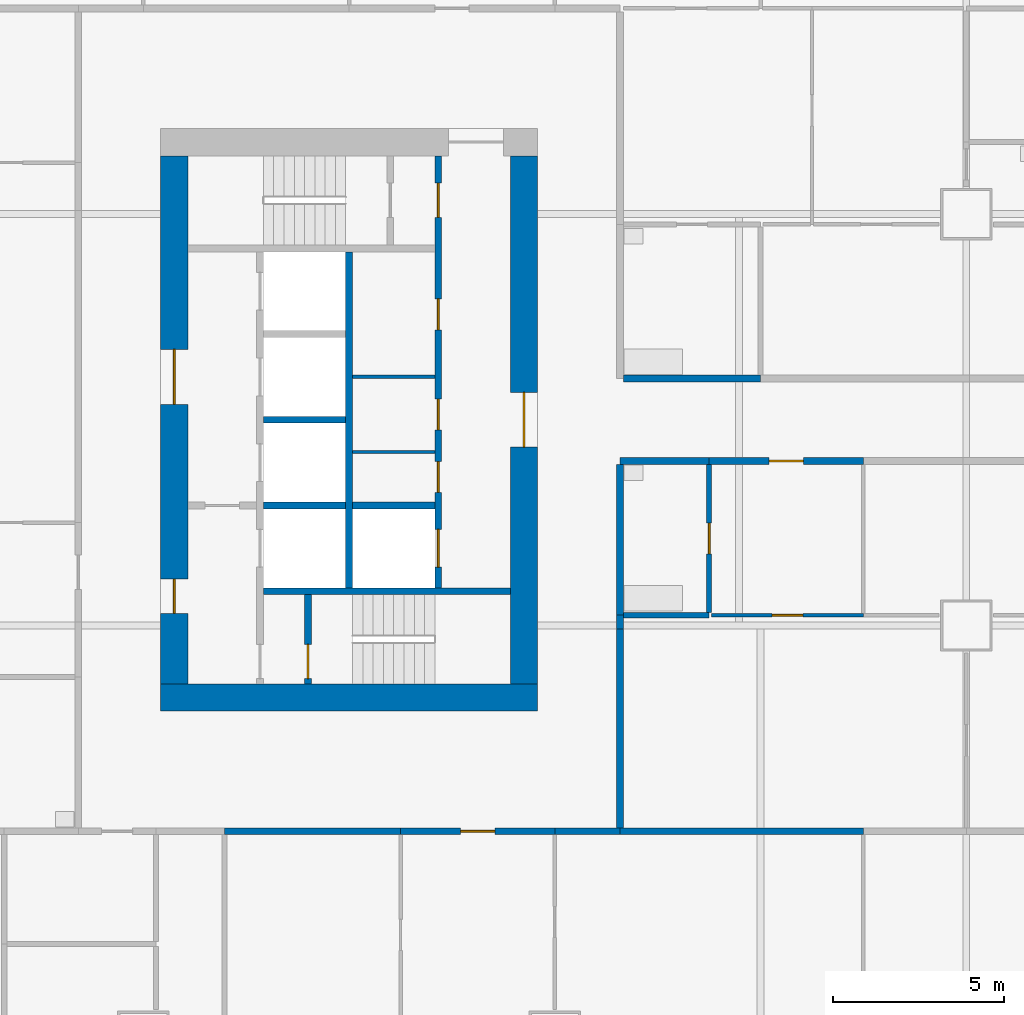
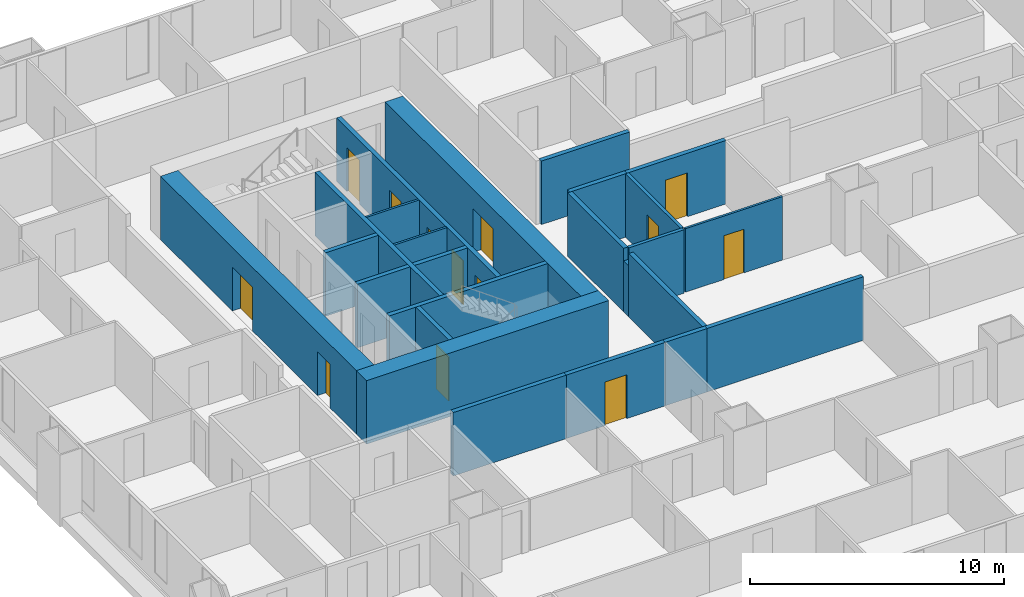
# One storey, part 4 of 14: 25 walls, 13 doors, 13 openings.
"""IFC4 building model written with IfcOpenShell, lengths in metres."""

from ifc_helpers import new_model, si_unit, direction, frame, frame_2d, origin, place, context, subcontext, project, spatial, rectangle, extrude, material, layer, layer_set, type_object, element, fill, save


model = new_model("IFC4")

# Units and contexts
model_context = context("Model", 3, precision=1e-05, world=origin(), true_north=direction((0.0, 1.0)))
body_context = subcontext(model_context, "Body", "Model", "MODEL_VIEW")
ifc_project = project(units=[si_unit("LENGTHUNIT", "METRE"), si_unit("AREAUNIT", "SQUARE_METRE"), si_unit("VOLUMEUNIT", "CUBIC_METRE"), si_unit("PLANEANGLEUNIT", "RADIAN"), si_unit("MASSUNIT", "GRAM", prefix="KILO")], contexts=[model_context])

# Site, building, storey
site_placement = place(None, origin())
site = spatial("IfcSite", under=ifc_project, at=site_placement, CompositionType="ELEMENT")
building_placement = place(site_placement, origin())
building = spatial("IfcBuilding", under=site, at=building_placement, Name="Kitamizu Gate Tower and Museum", CompositionType="ELEMENT")
storey_placement = place(building_placement, frame((0.0, 0.0, 54.14990234375)))
storey = spatial("IfcBuildingStorey", under=building, at=storey_placement, Name="L12", CompositionType="ELEMENT", Elevation=54.14990234375)

# Wall
ifc_material_1 = material(Name="Concrete Fc60", Category="concrete")
ifc_layer_1 = layer(ifc_material_1, 0.800048828125)
ifc_layer_set_1 = layer_set([ifc_layer_1], Name="Concrete Fc60")
wall_type_1 = type_object("IfcWallType", Name="Core wall 800", PredefinedType="SHEAR", material=ifc_layer_set_1)
wall_1_placement = place(storey_placement, frame((12.5, 21.89990234375, 0.0), z_axis=(0.0, 0.0, 1.0), x_axis=(1.0, 0.0, 0.0)))
element("IfcWall", 1, at=wall_1_placement, inside=storey, type_object=wall_type_1, Name="Core wall WS", PredefinedType="SHEAR", context=body_context, shape_type="SweptSolid", body=[
    extrude(rectangle(XDim=11.0, YDim=0.800048828125, at=frame_2d((5.5, 0.0))), origin(), (0.0, 0.0, 1.0), 3.050048828125),
])

# Wall, openings, doors
wall_2_placement = place(storey_placement, frame((12.89990234375, 22.300048828125, 0.0), z_axis=(0.0, 0.0, 1.0), x_axis=(0.0, 1.0, 0.0)))
wall_2 = element("IfcWall", 2, at=wall_2_placement, inside=storey, type_object=wall_type_1, Name="Core wall WOUT", PredefinedType="SHEAR", context=body_context, shape_type="SweptSolid", body=[
    extrude(rectangle(XDim=15.39990234375, YDim=0.800048828125, at=frame_2d((7.699951171875, 0.0))), origin(), (0.0, 0.0, 1.0), 3.050048828125),
])
opening_1_placement = place(wall_2_placement, frame((8.14990234375, 0.0, 0.0)))
opening_1 = element("IfcOpeningElement", 3, at=opening_1_placement, cuts=wall_2, Name="Opening L12-081", PredefinedType="OPENING", context=body_context, shape_type="SweptSolid", body=[
    extrude(rectangle(XDim=1.60009765625, YDim=2.10009765625, at=frame_2d((0.800048828125, 1.050048828125))), frame((0.0, 0.41015625, 0.0), z_axis=(0.0, -1.0, 0.0), x_axis=(1.0, 0.0, 0.0)), (0.0, 0.0, 1.0), 0.820068359375),
])
opening_2_placement = place(wall_2_placement, frame((2.050048828125, 0.0, 0.0)))
opening_2 = element("IfcOpeningElement", 4, at=opening_2_placement, cuts=wall_2, Name="Opening L12-082", PredefinedType="OPENING", context=body_context, shape_type="SweptSolid", body=[
    extrude(rectangle(XDim=1.0, YDim=2.10009765625, at=frame_2d((0.5, 1.050048828125))), frame((0.0, 0.41015625, 0.0), z_axis=(0.0, -1.0, 0.0), x_axis=(1.0, 0.0, 0.0)), (0.0, 0.0, 1.0), 0.820068359375),
])
ifc_material_2 = material(Name="Timber door set", Category="wood")
door_type_1 = type_object("IfcDoorType", Name="Entrance door 1600", OperationType="DOUBLE_DOOR_SINGLE_SWING", PredefinedType="DOOR", material=ifc_material_2)
door_1_placement = place(opening_1_placement, origin())
door_1 = element("IfcDoor", 5, at=door_1_placement, inside=storey, type_object=door_type_1, Name="Lobby door L12-081", OperationType="DOUBLE_DOOR_SINGLE_SWING", OverallHeight=2.10009765625, OverallWidth=1.60009765625, PredefinedType="DOOR", context=body_context, shape_type="SweptSolid", body=[
    extrude(rectangle(XDim=1.60009765625, YDim=2.10009765625, at=frame_2d((0.800048828125, 1.050048828125))), frame((0.0, 0.02490234375, 0.0), z_axis=(0.0, -1.0, 0.0), x_axis=(1.0, 0.0, 0.0)), (0.0, 0.0, 1.0), 0.050048828125),
])
fill(opening_1, door_1)
ifc_material_3 = material(Name="Hollow metal door set")
door_type_2 = type_object("IfcDoorType", Name="Fire door 1000", OperationType="NOTDEFINED", PredefinedType="DOOR", material=ifc_material_3)
door_2_placement = place(opening_2_placement, frame((1.0, 0.0, 0.0), x_axis=(-1.0, 0.0, 0.0)))
door_2 = element("IfcDoor", 6, at=door_2_placement, inside=storey, type_object=door_type_2, Name="Fire-fighting lobby door L12-082", OperationType="SINGLE_SWING_RIGHT", OverallHeight=2.10009765625, OverallWidth=1.0, PredefinedType="DOOR", context=body_context, shape_type="SweptSolid", body=[
    extrude(rectangle(XDim=1.0, YDim=2.10009765625, at=frame_2d((0.5, 1.050048828125))), frame((0.0, 0.02490234375, 0.0), z_axis=(0.0, -1.0, 0.0), x_axis=(1.0, 0.0, 0.0)), (0.0, 0.0, 1.0), 0.050048828125),
])
fill(opening_2, door_2)

# Wall, opening, door
wall_3_placement = place(storey_placement, frame((23.10009765625, 22.300048828125, 0.0), z_axis=(0.0, 0.0, 1.0), x_axis=(0.0, 1.0, 0.0)))
wall_3 = element("IfcWall", 7, at=wall_3_placement, inside=storey, type_object=wall_type_1, Name="Core wall WARC", PredefinedType="SHEAR", context=body_context, shape_type="SweptSolid", body=[
    extrude(rectangle(XDim=15.39990234375, YDim=0.800048828125, at=frame_2d((7.699951171875, 0.0))), origin(), (0.0, 0.0, 1.0), 3.050048828125),
])
opening_3_placement = place(wall_3_placement, frame((6.89990234375, 0.0, 0.0)))
opening_3 = element("IfcOpeningElement", 8, at=opening_3_placement, cuts=wall_3, Name="Opening L12-084", PredefinedType="OPENING", context=body_context, shape_type="SweptSolid", body=[
    extrude(rectangle(XDim=1.60009765625, YDim=2.10009765625, at=frame_2d((0.800048828125, 1.050048828125))), frame((0.0, 0.41015625, 0.0), z_axis=(0.0, -1.0, 0.0), x_axis=(1.0, 0.0, 0.0)), (0.0, 0.0, 1.0), 0.820068359375),
])
door_3_placement = place(opening_3_placement, origin())
door_3 = element("IfcDoor", 9, at=door_3_placement, inside=storey, type_object=door_type_1, Name="Lobby door L12-084", OperationType="DOUBLE_DOOR_SINGLE_SWING", OverallHeight=2.10009765625, OverallWidth=1.60009765625, PredefinedType="DOOR", context=body_context, shape_type="SweptSolid", body=[
    extrude(rectangle(XDim=1.60009765625, YDim=2.10009765625, at=frame_2d((0.800048828125, 1.050048828125))), frame((0.0, 0.02490234375, 0.0), z_axis=(0.0, -1.0, 0.0), x_axis=(1.0, 0.0, 0.0)), (0.0, 0.0, 1.0), 0.050048828125),
])
fill(opening_3, door_3)

# Walls
ifc_material_4 = material(Name="Gypsum board on galvanised stud")
ifc_layer_2 = layer(ifc_material_4, 0.10009765625)
ifc_layer_set_2 = layer_set([ifc_layer_2], Name="Gypsum board on galvanised stud")
wall_type_2 = type_object("IfcWallType", Name="Partition 100", PredefinedType="PARTITIONING", material=ifc_layer_set_2)
for number, where, z_axis, x_axis, name in (
    (10, (18.10009765625, 29.06005859375, 0.0), (0.0, 0.0, 1.0), (1.0, 0.0, 0.0), "Partition WPF1"),
    (11, (18.10009765625, 31.25, 0.0), (0.0, 0.0, 1.0), (1.0, 0.0, 0.0), "Partition WPF2"),
):
    element("IfcWall", number, at=place(storey_placement, frame(where, z_axis=z_axis, x_axis=x_axis)), inside=storey, type_object=wall_type_2, Name=name, PredefinedType="PARTITIONING", context=body_context, shape_type="SweptSolid", body=[
        extrude(rectangle(XDim=2.39990234375, YDim=0.10009765625, at=frame_2d((1.199951171875, 0.0))), origin(), (0.0, 0.0, 1.0), 3.050048828125),
    ])

# Wall, opening, door
ifc_material_5 = material(Name="Gypsum board on galvanised stud")
ifc_layer_3 = layer(ifc_material_5, 0.10009765625)
ifc_layer_set_3 = layer_set([ifc_layer_3], Name="Gypsum board on galvanised stud")
wall_type_3 = type_object("IfcWallType", Name="Partition 100 NOT RATED", PredefinedType="PARTITIONING", material=ifc_layer_set_3)
wall_4_placement = place(storey_placement, frame((33.0, 24.300048828125, 0.0), z_axis=(0.0, 0.0, 1.0), x_axis=(-1.0, 0.0, 0.0)))
wall_4 = element("IfcWall", 12, at=wall_4_placement, inside=storey, type_object=wall_type_3, Name="Partition L12-061", PredefinedType="PARTITIONING", context=body_context, shape_type="SweptSolid", body=[
    extrude(rectangle(XDim=4.425048828125, YDim=0.10009765625, at=frame_2d((2.21240234375, 0.0))), origin(), (0.0, 0.0, 1.0), 3.050048828125),
])
opening_4_placement = place(wall_4_placement, frame((1.762451171875, 0.0, 0.0)))
opening_4 = element("IfcOpeningElement", 13, at=opening_4_placement, cuts=wall_4, Name="Opening L12-022", PredefinedType="OPENING", context=body_context, shape_type="SweptSolid", body=[
    extrude(rectangle(XDim=0.89990234375, YDim=2.10009765625, at=frame_2d((0.449951171875, 1.050048828125))), frame((0.0, 0.06005859375, 0.0), z_axis=(0.0, -1.0, 0.0), x_axis=(1.0, 0.0, 0.0)), (0.0, 0.0, 1.0), 0.1201171875),
])
ifc_material_6 = material(Name="Timber door set", Category="wood")
door_type_3 = type_object("IfcDoorType", Name="Room door 900", OperationType="NOTDEFINED", PredefinedType="DOOR", material=ifc_material_6)
door_4_placement = place(opening_4_placement, origin())
door_4 = element("IfcDoor", 14, at=door_4_placement, inside=storey, type_object=door_type_3, Name="Door L12-022", OperationType="SINGLE_SWING_LEFT", OverallHeight=2.10009765625, OverallWidth=0.89990234375, PredefinedType="DOOR", context=body_context, shape_type="SweptSolid", body=[
    extrude(rectangle(XDim=0.89990234375, YDim=2.10009765625, at=frame_2d((0.449951171875, 1.050048828125))), frame((0.0, 0.02490234375, 0.0), z_axis=(0.0, -1.0, 0.0), x_axis=(1.0, 0.0, 0.0)), (0.0, 0.0, 1.0), 0.050048828125),
])
fill(opening_4, door_4)

# Wall
ifc_material_7 = material(Name="Gypsum board on galvanised stud")
ifc_layer_4 = layer(ifc_material_7, 0.14990234375)
ifc_layer_set_4 = layer_set([ifc_layer_4], Name="Gypsum board on galvanised stud")
wall_type_4 = type_object("IfcWallType", Name="Partition 150", PredefinedType="PARTITIONING", material=ifc_layer_set_4)
wall_5_placement = place(storey_placement, frame((28.5, 24.300048828125, 0.0), z_axis=(0.0, 0.0, 1.0), x_axis=(-1.0, 0.0, 0.0)))
element("IfcWall", 15, at=wall_5_placement, inside=storey, type_object=wall_type_4, Name="Partition L12-060", PredefinedType="PARTITIONING", context=body_context, shape_type="SweptSolid", body=[
    extrude(rectangle(XDim=2.5, YDim=0.14990234375, at=frame_2d((1.25, 0.0))), origin(), (0.0, 0.0, 1.0), 3.050048828125),
])

# Wall, opening, door
wall_6_placement = place(storey_placement, frame((28.5, 24.375, 0.0), z_axis=(0.0, 0.0, 1.0), x_axis=(0.0, 1.0, 0.0)))
wall_6 = element("IfcWall", 16, at=wall_6_placement, inside=storey, type_object=wall_type_4, Name="Partition L12-067", PredefinedType="PARTITIONING", context=body_context, shape_type="SweptSolid", body=[
    extrude(rectangle(XDim=4.324951171875, YDim=0.14990234375, at=frame_2d((2.16259765625, 0.0))), origin(), (0.0, 0.0, 1.0), 3.050048828125),
])
opening_5_placement = place(wall_6_placement, frame((1.71240234375, 0.0, 0.0)))
opening_5 = element("IfcOpeningElement", 17, at=opening_5_placement, cuts=wall_6, Name="Opening L12-024", PredefinedType="OPENING", context=body_context, shape_type="SweptSolid", body=[
    extrude(rectangle(XDim=0.89990234375, YDim=2.10009765625, at=frame_2d((0.449951171875, 1.050048828125))), frame((0.0, 0.0849609375, 0.0), z_axis=(0.0, -1.0, 0.0), x_axis=(1.0, 0.0, 0.0)), (0.0, 0.0, 1.0), 0.169921875),
])
ifc_material_8 = material(Name="Timber door set", Category="wood")
door_type_4 = type_object("IfcDoorType", Name="Bathroom door 900", OperationType="NOTDEFINED", PredefinedType="DOOR", material=ifc_material_8)
door_5_placement = place(opening_5_placement, origin())
door_5 = element("IfcDoor", 18, at=door_5_placement, inside=storey, type_object=door_type_4, Name="Bathroom door L12-024", OperationType="SINGLE_SWING_LEFT", OverallHeight=2.10009765625, OverallWidth=0.89990234375, PredefinedType="DOOR", context=body_context, shape_type="SweptSolid", body=[
    extrude(rectangle(XDim=0.89990234375, YDim=2.10009765625, at=frame_2d((0.449951171875, 1.050048828125))), frame((0.0, 0.02490234375, 0.0), z_axis=(0.0, -1.0, 0.0), x_axis=(1.0, 0.0, 0.0)), (0.0, 0.0, 1.0), 0.050048828125),
])
fill(opening_5, door_5)

# Wall
ifc_material_9 = material(Name="Gypsum board on galvanised stud")
ifc_layer_5 = layer(ifc_material_9, 0.199951171875)
ifc_layer_set_5 = layer_set([ifc_layer_5], Name="Gypsum board on galvanised stud")
wall_type_5 = type_object("IfcWallType", Name="Partition 200", PredefinedType="PARTITIONING", material=ifc_layer_set_5)
wall_7_placement = place(storey_placement, frame((19.5, 18.0, 0.0), z_axis=(0.0, 0.0, 1.0), x_axis=(-1.0, 0.0, 0.0)))
element("IfcWall", 19, at=wall_7_placement, inside=storey, type_object=wall_type_5, Name="Partition L12-050", PredefinedType="PARTITIONING", context=body_context, shape_type="SweptSolid", body=[
    extrude(rectangle(XDim=5.135986328125, YDim=0.199951171875, at=frame_2d((2.56787109375, 0.0))), origin(), (0.0, 0.0, 1.0), 3.050048828125),
])

# Wall, opening, door
wall_8_placement = place(storey_placement, frame((24.0, 18.0, 0.0), z_axis=(0.0, 0.0, 1.0), x_axis=(-1.0, 0.0, 0.0)))
wall_8 = element("IfcWall", 20, at=wall_8_placement, inside=storey, type_object=wall_type_5, Name="Partition L12-052", PredefinedType="PARTITIONING", context=body_context, shape_type="SweptSolid", body=[
    extrude(rectangle(XDim=4.5, YDim=0.199951171875, at=frame_2d((2.25, 0.0))), origin(), (0.0, 0.0, 1.0), 3.050048828125),
])
opening_6_placement = place(wall_8_placement, frame((1.75, 0.0, 0.0)))
opening_6 = element("IfcOpeningElement", 21, at=opening_6_placement, cuts=wall_8, Name="Opening L12-001", PredefinedType="OPENING", context=body_context, shape_type="SweptSolid", body=[
    extrude(rectangle(XDim=1.0, YDim=2.10009765625, at=frame_2d((0.5, 1.050048828125))), frame((0.0, 0.10986328125, 0.0), z_axis=(0.0, -1.0, 0.0), x_axis=(1.0, 0.0, 0.0)), (0.0, 0.0, 1.0), 0.219970703125),
])
ifc_material_10 = material(Name="Timber door set", Category="wood")
door_type_5 = type_object("IfcDoorType", Name="Flat entrance door 1000", OperationType="NOTDEFINED", PredefinedType="DOOR", material=ifc_material_10)
door_6_placement = place(opening_6_placement, origin())
door_6 = element("IfcDoor", 22, at=door_6_placement, inside=storey, type_object=door_type_5, Name="Flat entrance door L12-001", OperationType="SINGLE_SWING_RIGHT", OverallHeight=2.10009765625, OverallWidth=1.0, PredefinedType="DOOR", context=body_context, shape_type="SweptSolid", body=[
    extrude(rectangle(XDim=1.0, YDim=2.10009765625, at=frame_2d((0.5, 1.050048828125))), frame((0.0, 0.02490234375, 0.0), z_axis=(0.0, -1.0, 0.0), x_axis=(1.0, 0.0, 0.0)), (0.0, 0.0, 1.0), 0.050048828125),
])
fill(opening_6, door_6)

# Walls
wall_9_placement = place(storey_placement, frame((33.0, 18.0, 0.0), z_axis=(0.0, 0.0, 1.0), x_axis=(-1.0, 0.0, 0.0)))
element("IfcWall", 23, at=wall_9_placement, inside=storey, type_object=wall_type_5, Name="Partition L12-054", PredefinedType="PARTITIONING", context=body_context, shape_type="SweptSolid", body=[
    extrude(rectangle(XDim=7.10009765625, YDim=0.199951171875, at=frame_2d((3.550048828125, 0.0))), origin(), (0.0, 0.0, 1.0), 3.050048828125),
])
wall_10_placement = place(storey_placement, frame((25.89990234375, 18.0, 0.0), z_axis=(0.0, 0.0, 1.0), x_axis=(-1.0, 0.0, 0.0)))
element("IfcWall", 24, at=wall_10_placement, inside=storey, type_object=wall_type_5, Name="Partition L12-055", PredefinedType="PARTITIONING", context=body_context, shape_type="SweptSolid", body=[
    extrude(rectangle(XDim=1.89990234375, YDim=0.199951171875, at=frame_2d((0.949951171875, 0.0))), origin(), (0.0, 0.0, 1.0), 3.050048828125),
])
wall_11_placement = place(storey_placement, frame((25.89990234375, 24.300048828125, 0.0), z_axis=(0.0, 0.0, 1.0), x_axis=(0.0, -1.0, 0.0)))
element("IfcWall", 25, at=wall_11_placement, inside=storey, type_object=wall_type_5, Name="Partition L12-063", PredefinedType="PARTITIONING", context=body_context, shape_type="SweptSolid", body=[
    extrude(rectangle(XDim=0.400146484375, YDim=0.199951171875, at=frame_2d((0.2001953125, 0.0))), origin(), (0.0, 0.0, 1.0), 2.4501953125),
])
wall_12_placement = place(storey_placement, frame((25.89990234375, 23.89990234375, 0.0), z_axis=(0.0, 0.0, 1.0), x_axis=(0.0, -1.0, 0.0)))
element("IfcWall", 26, at=wall_12_placement, inside=storey, type_object=wall_type_5, Name="Partition L12-064", PredefinedType="PARTITIONING", context=body_context, shape_type="SweptSolid", body=[
    extrude(rectangle(XDim=5.7998046875, YDim=0.199951171875, at=frame_2d((2.89990234375, 0.0))), origin(), (0.0, 0.0, 1.0), 3.050048828125),
])
wall_13_placement = place(storey_placement, frame((28.5, 28.800048828125, 0.0), z_axis=(0.0, 0.0, 1.0), x_axis=(-1.0, 0.0, 0.0)))
element("IfcWall", 27, at=wall_13_placement, inside=storey, type_object=wall_type_5, Name="Partition L12-068", PredefinedType="PARTITIONING", context=body_context, shape_type="SweptSolid", body=[
    extrude(rectangle(XDim=2.60009765625, YDim=0.199951171875, at=frame_2d((1.300048828125, 0.0))), origin(), (0.0, 0.0, 1.0), 3.050048828125),
])
wall_14_placement = place(storey_placement, frame((25.89990234375, 28.699951171875, 0.0), z_axis=(0.0, 0.0, 1.0), x_axis=(0.0, -1.0, 0.0)))
element("IfcWall", 28, at=wall_14_placement, inside=storey, type_object=wall_type_5, Name="Partition L12-069", PredefinedType="PARTITIONING", context=body_context, shape_type="SweptSolid", body=[
    extrude(rectangle(XDim=4.39990234375, YDim=0.199951171875, at=frame_2d((2.199951171875, 0.0))), origin(), (0.0, 0.0, 1.0), 3.050048828125),
])

# Wall, opening, door
wall_15_placement = place(storey_placement, frame((33.0, 28.800048828125, 0.0), z_axis=(0.0, 0.0, 1.0), x_axis=(-1.0, 0.0, 0.0)))
wall_15 = element("IfcWall", 29, at=wall_15_placement, inside=storey, type_object=wall_type_5, Name="Partition L12-071", PredefinedType="PARTITIONING", context=body_context, shape_type="SweptSolid", body=[
    extrude(rectangle(XDim=4.5, YDim=0.199951171875, at=frame_2d((2.25, 0.0))), origin(), (0.0, 0.0, 1.0), 3.050048828125),
])
opening_7_placement = place(wall_15_placement, frame((1.75, 0.0, 0.0)))
opening_7 = element("IfcOpeningElement", 30, at=opening_7_placement, cuts=wall_15, Name="Opening L12-021", PredefinedType="OPENING", context=body_context, shape_type="SweptSolid", body=[
    extrude(rectangle(XDim=1.0, YDim=2.10009765625, at=frame_2d((0.5, 1.050048828125))), frame((0.0, 0.10986328125, 0.0), z_axis=(0.0, -1.0, 0.0), x_axis=(1.0, 0.0, 0.0)), (0.0, 0.0, 1.0), 0.219970703125),
])
door_7_placement = place(opening_7_placement, origin())
door_7 = element("IfcDoor", 31, at=door_7_placement, inside=storey, type_object=door_type_5, Name="Flat entrance door L12-021", OperationType="SINGLE_SWING_RIGHT", OverallHeight=2.10009765625, OverallWidth=1.0, PredefinedType="DOOR", context=body_context, shape_type="SweptSolid", body=[
    extrude(rectangle(XDim=1.0, YDim=2.10009765625, at=frame_2d((0.5, 1.050048828125))), frame((0.0, 0.02490234375, 0.0), z_axis=(0.0, -1.0, 0.0), x_axis=(1.0, 0.0, 0.0)), (0.0, 0.0, 1.0), 0.050048828125),
])
fill(opening_7, door_7)

# Wall
wall_16_placement = place(storey_placement, frame((26.0, 31.199951171875, 0.0), z_axis=(0.0, 0.0, 1.0), x_axis=(1.0, 0.0, 0.0)))
element("IfcWall", 32, at=wall_16_placement, inside=storey, type_object=wall_type_5, Name="Partition L12-152", PredefinedType="PARTITIONING", context=body_context, shape_type="SweptSolid", body=[
    extrude(rectangle(XDim=4.0, YDim=0.199951171875, at=frame_2d((2.0, 0.0))), origin(), (0.0, 0.0, 1.0), 3.050048828125),
])

# Wall, openings, doors
ifc_material_11 = material(Name="Concrete Fc42", Category="concrete")
ifc_layer_6 = layer(ifc_material_11, 0.199951171875)
ifc_layer_set_6 = layer_set([ifc_layer_6], Name="Concrete Fc42")
wall_type_6 = type_object("IfcWallType", Name="Shaft wall 200", PredefinedType="SOLIDWALL", material=ifc_layer_set_6)
wall_17_placement = place(storey_placement, frame((20.60009765625, 25.10009765625, 0.0), z_axis=(0.0, 0.0, 1.0), x_axis=(0.0, 1.0, 0.0)))
wall_17 = element("IfcWall", 33, at=wall_17_placement, inside=storey, type_object=wall_type_6, Name="Shaft wall WEAST", PredefinedType="SOLIDWALL", context=body_context, shape_type="SweptSolid", body=[
    extrude(rectangle(XDim=12.599853515625, YDim=0.199951171875, at=frame_2d((6.2998046875, 0.0))), origin(), (0.0, 0.0, 1.0), 3.050048828125),
])
opening_8_placement = place(wall_17_placement, frame((0.60009765625, 0.0, 0.0)))
opening_8 = element("IfcOpeningElement", 34, at=opening_8_placement, cuts=wall_17, Name="Opening LD", PredefinedType="OPENING", context=body_context, shape_type="SweptSolid", body=[
    extrude(rectangle(XDim=1.10009765625, YDim=2.10009765625, at=frame_2d((0.550048828125, 1.050048828125))), frame((0.0, 0.10986328125, 0.0), z_axis=(0.0, -1.0, 0.0), x_axis=(1.0, 0.0, 0.0)), (0.0, 0.0, 1.0), 0.219970703125),
])
opening_9_placement = place(wall_17_placement, frame((10.800048828125, 0.0, 0.0)))
opening_9 = element("IfcOpeningElement", 35, at=opening_9_placement, cuts=wall_17, Name="Opening L12-078", PredefinedType="OPENING", context=body_context, shape_type="SweptSolid", body=[
    extrude(rectangle(XDim=1.0, YDim=2.10009765625, at=frame_2d((0.5, 1.050048828125))), frame((0.0, 0.10986328125, 0.0), z_axis=(0.0, -1.0, 0.0), x_axis=(1.0, 0.0, 0.0)), (0.0, 0.0, 1.0), 0.219970703125),
])
opening_10_placement = place(wall_17_placement, frame((2.780029296875, 0.0, 0.0)))
opening_10 = element("IfcOpeningElement", 36, at=opening_10_placement, cuts=wall_17, Name="Opening L12-085", PredefinedType="OPENING", context=body_context, shape_type="SweptSolid", body=[
    extrude(rectangle(XDim=0.89990234375, YDim=2.10009765625, at=frame_2d((0.449951171875, 1.050048828125))), frame((0.0, 0.10986328125, 0.0), z_axis=(0.0, -1.0, 0.0), x_axis=(1.0, 0.0, 0.0)), (0.0, 0.0, 1.0), 0.219970703125),
])
opening_11_placement = place(wall_17_placement, frame((4.60498046875, 0.0, 0.0)))
opening_11 = element("IfcOpeningElement", 37, at=opening_11_placement, cuts=wall_17, Name="Opening L12-086", PredefinedType="OPENING", context=body_context, shape_type="SweptSolid", body=[
    extrude(rectangle(XDim=0.89990234375, YDim=2.10009765625, at=frame_2d((0.449951171875, 1.050048828125))), frame((0.0, 0.10986328125, 0.0), z_axis=(0.0, -1.0, 0.0), x_axis=(1.0, 0.0, 0.0)), (0.0, 0.0, 1.0), 0.219970703125),
])
opening_12_placement = place(wall_17_placement, frame((7.52490234375, 0.0, 0.0)))
opening_12 = element("IfcOpeningElement", 38, at=opening_12_placement, cuts=wall_17, Name="Opening L12-087", PredefinedType="OPENING", context=body_context, shape_type="SweptSolid", body=[
    extrude(rectangle(XDim=0.89990234375, YDim=2.10009765625, at=frame_2d((0.449951171875, 1.050048828125))), frame((0.0, 0.10986328125, 0.0), z_axis=(0.0, -1.0, 0.0), x_axis=(1.0, 0.0, 0.0)), (0.0, 0.0, 1.0), 0.219970703125),
])
door_8_placement = place(opening_9_placement, origin())
door_8 = element("IfcDoor", 39, at=door_8_placement, inside=storey, type_object=door_type_2, Name="Stair lobby door L12-078", OperationType="SINGLE_SWING_RIGHT", OverallHeight=2.10009765625, OverallWidth=1.0, PredefinedType="DOOR", context=body_context, shape_type="SweptSolid", body=[
    extrude(rectangle(XDim=1.0, YDim=2.10009765625, at=frame_2d((0.5, 1.050048828125))), frame((0.0, 0.02490234375, 0.0), z_axis=(0.0, -1.0, 0.0), x_axis=(1.0, 0.0, 0.0)), (0.0, 0.0, 1.0), 0.050048828125),
])
fill(opening_9, door_8)
ifc_material_12 = material(Name="Hollow metal door set")
door_type_6 = type_object("IfcDoorType", Name="Landing door 1100", OperationType="SLIDING_TO_LEFT", PredefinedType="DOOR", material=ifc_material_12)
door_9_placement = place(opening_8_placement, origin())
door_9 = element("IfcDoor", 40, at=door_9_placement, inside=storey, type_object=door_type_6, Name="Landing door WSV1", OperationType="SLIDING_TO_LEFT", OverallHeight=2.10009765625, OverallWidth=1.10009765625, PredefinedType="DOOR", context=body_context, shape_type="SweptSolid", body=[
    extrude(rectangle(XDim=1.10009765625, YDim=2.10009765625, at=frame_2d((0.550048828125, 1.050048828125))), frame((0.0, 0.02490234375, 0.0), z_axis=(0.0, -1.0, 0.0), x_axis=(1.0, 0.0, 0.0)), (0.0, 0.0, 1.0), 0.050048828125),
])
fill(opening_8, door_9)
ifc_material_13 = material(Name="Timber door set", Category="wood")
door_type_7 = type_object("IfcDoorType", Name="Service door 900", OperationType="NOTDEFINED", PredefinedType="DOOR", material=ifc_material_13)
door_10_placement = place(opening_10_placement, origin())
door_10 = element("IfcDoor", 41, at=door_10_placement, inside=storey, type_object=door_type_7, Name="Service door L12-085", OperationType="SINGLE_SWING_RIGHT", OverallHeight=2.10009765625, OverallWidth=0.89990234375, PredefinedType="DOOR", context=body_context, shape_type="SweptSolid", body=[
    extrude(rectangle(XDim=0.89990234375, YDim=2.10009765625, at=frame_2d((0.449951171875, 1.050048828125))), frame((0.0, 0.02490234375, 0.0), z_axis=(0.0, -1.0, 0.0), x_axis=(1.0, 0.0, 0.0)), (0.0, 0.0, 1.0), 0.050048828125),
])
fill(opening_10, door_10)
door_11_placement = place(opening_11_placement, origin())
door_11 = element("IfcDoor", 42, at=door_11_placement, inside=storey, type_object=door_type_7, Name="Service door L12-086", OperationType="SINGLE_SWING_LEFT", OverallHeight=2.10009765625, OverallWidth=0.89990234375, PredefinedType="DOOR", context=body_context, shape_type="SweptSolid", body=[
    extrude(rectangle(XDim=0.89990234375, YDim=2.10009765625, at=frame_2d((0.449951171875, 1.050048828125))), frame((0.0, 0.02490234375, 0.0), z_axis=(0.0, -1.0, 0.0), x_axis=(1.0, 0.0, 0.0)), (0.0, 0.0, 1.0), 0.050048828125),
])
fill(opening_11, door_11)
door_12_placement = place(opening_12_placement, origin())
door_12 = element("IfcDoor", 43, at=door_12_placement, inside=storey, type_object=door_type_7, Name="Service door L12-087", OperationType="SINGLE_SWING_RIGHT", OverallHeight=2.10009765625, OverallWidth=0.89990234375, PredefinedType="DOOR", context=body_context, shape_type="SweptSolid", body=[
    extrude(rectangle(XDim=0.89990234375, YDim=2.10009765625, at=frame_2d((0.449951171875, 1.050048828125))), frame((0.0, 0.02490234375, 0.0), z_axis=(0.0, -1.0, 0.0), x_axis=(1.0, 0.0, 0.0)), (0.0, 0.0, 1.0), 0.050048828125),
])
fill(opening_12, door_12)

# Walls
wall_18_placement = place(storey_placement, frame((18.0, 25.10009765625, 0.0), z_axis=(0.0, 0.0, 1.0), x_axis=(0.0, 1.0, 0.0)))
element("IfcWall", 44, at=wall_18_placement, inside=storey, type_object=wall_type_6, Name="Shaft wall WMID", PredefinedType="SOLIDWALL", context=body_context, shape_type="SweptSolid", body=[
    extrude(rectangle(XDim=9.7998046875, YDim=0.199951171875, at=frame_2d((4.89990234375, 0.0))), origin(), (0.0, 0.0, 1.0), 3.050048828125),
])
wall_19_placement = place(storey_placement, frame((15.5, 25.0, 0.0), z_axis=(0.0, 0.0, 1.0), x_axis=(1.0, 0.0, 0.0)))
element("IfcWall", 45, at=wall_19_placement, inside=storey, type_object=wall_type_6, Name="Shaft wall WSB", PredefinedType="SOLIDWALL", context=body_context, shape_type="SweptSolid", body=[
    extrude(rectangle(XDim=7.199951171875, YDim=0.199951171875, at=frame_2d((3.60009765625, 0.0))), origin(), (0.0, 0.0, 1.0), 3.050048828125),
])

# Wall, opening, door
wall_20_placement = place(storey_placement, frame((16.800048828125, 22.300048828125, 0.0), z_axis=(0.0, 0.0, 1.0), x_axis=(0.0, 1.0, 0.0)))
wall_20 = element("IfcWall", 46, at=wall_20_placement, inside=storey, type_object=wall_type_6, Name="Shaft wall WSZ", PredefinedType="SOLIDWALL", context=body_context, shape_type="SweptSolid", body=[
    extrude(rectangle(XDim=2.599853515625, YDim=0.199951171875, at=frame_2d((1.2998046875, 0.0))), origin(), (0.0, 0.0, 1.0), 3.050048828125),
])
opening_13_placement = place(wall_20_placement, frame((0.14990234375, 0.0, 0.0)))
opening_13 = element("IfcOpeningElement", 47, at=opening_13_placement, cuts=wall_20, Name="Opening L12-076", PredefinedType="OPENING", context=body_context, shape_type="SweptSolid", body=[
    extrude(rectangle(XDim=1.0, YDim=2.10009765625, at=frame_2d((0.5, 1.050048828125))), frame((0.0, 0.10986328125, 0.0), z_axis=(0.0, -1.0, 0.0), x_axis=(1.0, 0.0, 0.0)), (0.0, 0.0, 1.0), 0.219970703125),
])
door_13_placement = place(opening_13_placement, frame((1.0, 0.0, 0.0), x_axis=(-1.0, 0.0, 0.0)))
door_13 = element("IfcDoor", 48, at=door_13_placement, inside=storey, type_object=door_type_2, Name="Stair door L12-076", OperationType="SINGLE_SWING_LEFT", OverallHeight=2.10009765625, OverallWidth=1.0, PredefinedType="DOOR", context=body_context, shape_type="SweptSolid", body=[
    extrude(rectangle(XDim=1.0, YDim=2.10009765625, at=frame_2d((0.5, 1.050048828125))), frame((0.0, 0.02490234375, 0.0), z_axis=(0.0, -1.0, 0.0), x_axis=(1.0, 0.0, 0.0)), (0.0, 0.0, 1.0), 0.050048828125),
])
fill(opening_13, door_13)

# Walls
for number, where, z_axis, x_axis, name in (
    (49, (15.5, 27.5, 0.0), (0.0, 0.0, 1.0), (1.0, 0.0, 0.0), "Shaft wall WDVW0"),
    (50, (15.5, 30.0, 0.0), (0.0, 0.0, 1.0), (1.0, 0.0, 0.0), "Shaft wall WDVW1"),
    (51, (18.10009765625, 27.5, 0.0), (0.0, 0.0, 1.0), (1.0, 0.0, 0.0), "Shaft wall WDVE0"),
):
    element("IfcWall", number, at=place(storey_placement, frame(where, z_axis=z_axis, x_axis=x_axis)), inside=storey, type_object=wall_type_6, Name=name, PredefinedType="SOLIDWALL", context=body_context, shape_type="SweptSolid", body=[
        extrude(rectangle(XDim=2.39990234375, YDim=0.199951171875, at=frame_2d((1.199951171875, 0.0))), origin(), (0.0, 0.0, 1.0), 3.050048828125),
    ])

save(model, "model.ifc")
